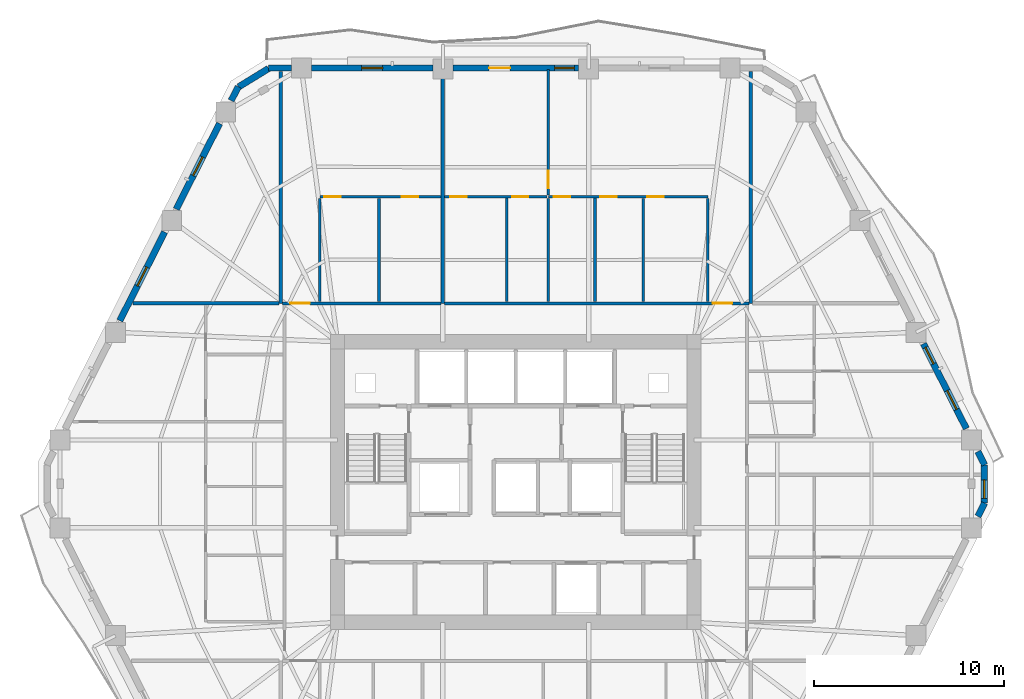
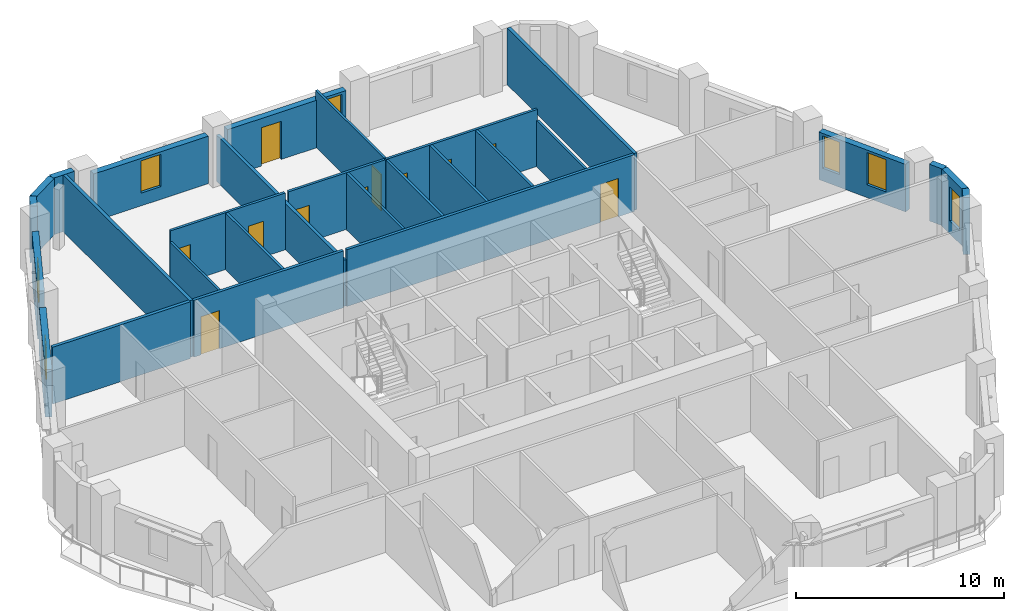
# One storey, part 7 of 12: 28 walls, 11 doors, 7 windows, 18 openings.
"""IFC4 building model written with IfcOpenShell, lengths in metres."""

from ifc_helpers import new_model, si_unit, direction, frame, frame_2d, origin, place, context, subcontext, project, spatial, rectangle, extrude, material, layer, layer_set, type_object, element, fill, save


model = new_model("IFC4")

# Units and contexts
model_context = context("Model", 3, precision=1e-05, world=origin(), true_north=direction((0.0, 1.0)))
body_context = subcontext(model_context, "Body", "Model", "MODEL_VIEW")
ifc_project = project(units=[si_unit("LENGTHUNIT", "METRE"), si_unit("AREAUNIT", "SQUARE_METRE"), si_unit("VOLUMEUNIT", "CUBIC_METRE"), si_unit("PLANEANGLEUNIT", "RADIAN"), si_unit("MASSUNIT", "GRAM", prefix="KILO")], contexts=[model_context])

# Site, building, storey
site_placement = place(None, origin())
site = spatial("IfcSite", under=ifc_project, at=site_placement, CompositionType="ELEMENT")
building_placement = place(site_placement, origin())
building = spatial("IfcBuilding", under=site, at=building_placement, Name="Cinnabar Lancet Tower", CompositionType="ELEMENT")
storey_placement = place(building_placement, frame((0.0, 0.0, 109.050048828125)))
storey = spatial("IfcBuildingStorey", under=building, at=storey_placement, Name="L28", CompositionType="ELEMENT", Elevation=109.050048828125)

# Wall, opening, door
ifc_material_1 = material(Name="Acoustic twin-stud gypsum partition", Category="gypsum")
ifc_layer_1 = layer(ifc_material_1, 0.159912109375)
ifc_layer_set_1 = layer_set([ifc_layer_1], Name="Acoustic twin-stud gypsum partition")
wall_type_1 = type_object("IfcWallType", Name="ARC-WL-CORR-160", PredefinedType="PARTITIONING", material=ifc_layer_set_1)
wall_1_placement = place(storey_placement, frame((20.14501953125, 35.300048828125, 0.0), z_axis=(0.0, 0.0, 1.0), x_axis=(1.0, 0.0, 0.0)))
wall_1 = element("IfcWall", 1, at=wall_1_placement, inside=storey, type_object=wall_type_1, Name="L28 Unit N01 Corridor Wall", PredefinedType="PARTITIONING", context=body_context, shape_type="SweptSolid", body=[
    extrude(rectangle(XDim=8.327880859375, YDim=0.159912109375, at=frame_2d((4.1640625, 0.0))), origin(), (0.0, 0.0, 1.0), 3.33984375),
])
opening_1_placement = place(wall_1_placement, frame((0.405029296875, 0.0, 0.0)))
opening_1 = element("IfcOpeningElement", 2, at=opening_1_placement, cuts=wall_1, Name="Opening UD-01", PredefinedType="OPENING", context=body_context, shape_type="SweptSolid", body=[
    extrude(rectangle(XDim=1.02001953125, YDim=2.25, at=frame_2d((0.510009765625, 1.125))), frame((0.0, 0.08984375, 0.0), z_axis=(0.0, -1.0, 0.0), x_axis=(1.0, 0.0, 0.0)), (0.0, 0.0, 1.0), 0.179931640625),
])
ifc_material_2 = material(Name="Solid timber fire-rated apartment entrance door", Category="wood")
door_type_1 = type_object("IfcDoorType", Name="ARC-DR-UNIT", OperationType="NOTDEFINED", PredefinedType="DOOR", material=ifc_material_2)
door_1_placement = place(opening_1_placement, origin())
door_1 = element("IfcDoor", 3, at=door_1_placement, inside=storey, type_object=door_type_1, Name="DR-L28-N01-ENT", OperationType="SINGLE_SWING_RIGHT", OverallHeight=2.25, OverallWidth=1.02001953125, PredefinedType="DOOR", context=body_context, shape_type="SweptSolid", body=[
    extrude(rectangle(XDim=1.02001953125, YDim=2.25, at=frame_2d((0.510009765625, 1.125))), frame((0.0, 0.02490234375, 0.0), z_axis=(0.0, -1.0, 0.0), x_axis=(1.0, 0.0, 0.0)), (0.0, 0.0, 1.0), 0.050048828125),
])
fill(opening_1, door_1)

wall_2_placement = place(storey_placement, frame((28.6630859375, 35.300048828125, 0.0), z_axis=(0.0, 0.0, 1.0), x_axis=(1.0, 0.0, 0.0)))
wall_2 = element("IfcWall", 4, at=wall_2_placement, inside=storey, type_object=wall_type_1, Name="L28 Unit N02 Corridor Wall", PredefinedType="PARTITIONING", context=body_context, shape_type="SweptSolid", body=[
    extrude(rectangle(XDim=15.991943359375, YDim=0.159912109375, at=frame_2d((7.99609375, 0.0))), origin(), (0.0, 0.0, 1.0), 3.33984375),
])
opening_2_placement = place(wall_2_placement, frame((14.0869140625, 0.0, 0.0)))
opening_2 = element("IfcOpeningElement", 5, at=opening_2_placement, cuts=wall_2, Name="Opening UD-01", PredefinedType="OPENING", context=body_context, shape_type="SweptSolid", body=[
    extrude(rectangle(XDim=1.02001953125, YDim=2.25, at=frame_2d((0.510009765625, 1.125))), frame((0.0, 0.08984375, 0.0), z_axis=(0.0, -1.0, 0.0), x_axis=(1.0, 0.0, 0.0)), (0.0, 0.0, 1.0), 0.179931640625),
])
door_2_placement = place(opening_2_placement, origin())
door_2 = element("IfcDoor", 6, at=door_2_placement, inside=storey, type_object=door_type_1, Name="DR-L28-N02-ENT", OperationType="SINGLE_SWING_LEFT", OverallHeight=2.25, OverallWidth=1.02001953125, PredefinedType="DOOR", context=body_context, shape_type="SweptSolid", body=[
    extrude(rectangle(XDim=1.02001953125, YDim=2.25, at=frame_2d((0.510009765625, 1.125))), frame((0.0, 0.02490234375, 0.0), z_axis=(0.0, -1.0, 0.0), x_axis=(1.0, 0.0, 0.0)), (0.0, 0.0, 1.0), 0.050048828125),
])
fill(opening_2, door_2)

# Walls
ifc_material_3 = material(Name="Fire-rated twin-frame acoustic drywall", Category="gypsum")
ifc_layer_2 = layer(ifc_material_3, 0.179931640625)
ifc_layer_set_2 = layer_set([ifc_layer_2], Name="Fire-rated twin-frame acoustic drywall")
wall_type_2 = type_object("IfcWallType", Name="ARC-WL-PARTY-180", PredefinedType="PARTITIONING", material=ifc_layer_set_2)
wall_3_placement = place(storey_placement, frame((20.050048828125, 35.300048828125, 0.0), z_axis=(0.0, 0.0, 1.0), x_axis=(0.0, 1.0, 0.0)))
element("IfcWall", 7, at=wall_3_placement, inside=storey, type_object=wall_type_2, Name="PW-L28-NPTY-200", PredefinedType="PARTITIONING", context=body_context, shape_type="SweptSolid", body=[
    extrude(rectangle(XDim=12.195068359375, YDim=0.179931640625, at=frame_2d((6.09765625, 0.0))), origin(), (0.0, 0.0, 1.0), 3.33984375),
])
wall_4_placement = place(storey_placement, frame((28.568115234375, 35.300048828125, 0.0), z_axis=(0.0, 0.0, 1.0), x_axis=(0.0, 1.0, 0.0)))
element("IfcWall", 8, at=wall_4_placement, inside=storey, type_object=wall_type_2, Name="PW-L28-NPTY-286", PredefinedType="PARTITIONING", context=body_context, shape_type="SweptSolid", body=[
    extrude(rectangle(XDim=12.195068359375, YDim=0.179931640625, at=frame_2d((6.09765625, 0.0))), origin(), (0.0, 0.0, 1.0), 2.721923828125),
])
wall_5_placement = place(storey_placement, frame((44.75, 35.300048828125, 0.0), z_axis=(0.0, 0.0, 1.0), x_axis=(0.0, 1.0, 0.0)))
element("IfcWall", 9, at=wall_5_placement, inside=storey, type_object=wall_type_2, Name="PW-L28-NPTY-448", PredefinedType="PARTITIONING", context=body_context, shape_type="SweptSolid", body=[
    extrude(rectangle(XDim=12.195068359375, YDim=0.179931640625, at=frame_2d((6.09765625, 0.0))), origin(), (0.0, 0.0, 1.0), 3.33984375),
])
wall_6_placement = place(storey_placement, frame((12.285888671875, 35.300048828125, 0.0), z_axis=(0.0, 0.0, 1.0), x_axis=(1.0, 0.0, 0.0)))
element("IfcWall", 10, at=wall_6_placement, inside=storey, type_object=wall_type_2, Name="PW-L28-WNB", PredefinedType="PARTITIONING", context=body_context, shape_type="SweptSolid", body=[
    extrude(rectangle(XDim=7.669189453125, YDim=0.179931640625, at=frame_2d((3.83447265625, 0.0))), origin(), (0.0, 0.0, 1.0), 3.33984375),
])
ifc_material_4 = material(Name="Gypsum plasterboard stud partition", Category="gypsum")
ifc_layer_3 = layer(ifc_material_4, 0.125)
ifc_layer_set_3 = layer_set([ifc_layer_3], Name="Gypsum plasterboard stud partition")
wall_type_3 = type_object("IfcWallType", Name="ARC-WL-UNIT-125", PredefinedType="PARTITIONING", material=ifc_layer_set_3)
for number, where, z_axis, x_axis, name in (
    (11, (22.10009765625, 35.385009765625, 0.0), (0.0, 0.0, 1.0), (0.0, 1.0, 0.0), "UW-L28-N01-FOYE"),
    (12, (42.5, 35.385009765625, 0.0), (0.0, 0.0, 1.0), (0.0, 1.0, 0.0), "UW-L28-N02-FOYW"),
):
    element("IfcWall", number, at=place(storey_placement, frame(where, z_axis=z_axis, x_axis=x_axis)), inside=storey, type_object=wall_type_3, Name=name, PredefinedType="PARTITIONING", context=body_context, shape_type="SweptSolid", body=[
        extrude(rectangle(XDim=5.419921875, YDim=0.125, at=frame_2d((2.7099609375, 0.0))), origin(), (0.0, 0.0, 1.0), 2.721923828125),
    ])

# Wall, opening, door
wall_7_placement = place(storey_placement, frame((34.111083984375, 40.985107421875, 0.0), z_axis=(0.0, 0.0, 1.0), x_axis=(0.0, 1.0, 0.0)))
wall_7 = element("IfcWall", 13, at=wall_7_placement, inside=storey, type_object=wall_type_3, Name="UW-L28-N02-MBW", PredefinedType="PARTITIONING", context=body_context, shape_type="SweptSolid", body=[
    extrude(rectangle(XDim=6.599853515625, YDim=0.125, at=frame_2d((3.2998046875, 0.0))), origin(), (0.0, 0.0, 1.0), 3.33984375),
])
opening_3_placement = place(wall_7_placement, frame((0.35009765625, 0.0, 0.0)))
opening_3 = element("IfcOpeningElement", 14, at=opening_3_placement, cuts=wall_7, Name="Opening RD-01", PredefinedType="OPENING", context=body_context, shape_type="SweptSolid", body=[
    extrude(rectangle(XDim=0.919921875, YDim=2.14990234375, at=frame_2d((0.4599609375, 1.074951171875))), frame((0.0, 0.072509765625, 0.0), z_axis=(0.0, -1.0, 0.0), x_axis=(1.0, 0.0, 0.0)), (0.0, 0.0, 1.0), 0.14501953125),
])
ifc_material_5 = material(Name="Engineered timber bedroom door", Category="wood")
door_type_2 = type_object("IfcDoorType", Name="ARC-DR-ROOM", OperationType="NOTDEFINED", PredefinedType="DOOR", material=ifc_material_5)
door_3_placement = place(opening_3_placement, origin())
door_3 = element("IfcDoor", 15, at=door_3_placement, inside=storey, type_object=door_type_2, Name="DR-L28-N02-MBD", OperationType="SINGLE_SWING_RIGHT", OverallHeight=2.14990234375, OverallWidth=0.919921875, PredefinedType="DOOR", context=body_context, shape_type="SweptSolid", body=[
    extrude(rectangle(XDim=0.919921875, YDim=2.14990234375, at=frame_2d((0.4599609375, 1.074951171875))), frame((0.0, 0.02490234375, 0.0), z_axis=(0.0, -1.0, 0.0), x_axis=(1.0, 0.0, 0.0)), (0.0, 0.0, 1.0), 0.050048828125),
])
fill(opening_3, door_3)

# Wall, openings, doors
ifc_material_6 = material(Name="Moisture-resistant cement-board plumbing wall", Category="masonry")
ifc_layer_4 = layer(ifc_material_6, 0.139892578125)
ifc_layer_set_4 = layer_set([ifc_layer_4], Name="Moisture-resistant cement-board plumbing wall")
wall_type_4 = type_object("IfcWallType", Name="ARC-WL-WET-140", PredefinedType="PLUMBINGWALL", material=ifc_layer_set_4)
wall_8_placement = place(storey_placement, frame((22.10009765625, 40.909912109375, 0.0), z_axis=(0.0, 0.0, 1.0), x_axis=(1.0, 0.0, 0.0)))
wall_8 = element("IfcWall", 16, at=wall_8_placement, inside=storey, type_object=wall_type_4, Name="UW-L28-N01-SPL", PredefinedType="PLUMBINGWALL", context=body_context, shape_type="SweptSolid", body=[
    extrude(rectangle(XDim=6.372802734375, YDim=0.139892578125, at=frame_2d((3.1865234375, 0.0))), origin(), (0.0, 0.0, 1.0), 3.33984375),
])
opening_4_placement = place(wall_8_placement, frame((4.31396484375, 0.0, 0.0)))
opening_4 = element("IfcOpeningElement", 17, at=opening_4_placement, cuts=wall_8, Name="Opening BD-01", PredefinedType="OPENING", context=body_context, shape_type="SweptSolid", body=[
    extrude(rectangle(XDim=0.860107421875, YDim=2.10009765625, at=frame_2d((0.43017578125, 1.050048828125))), frame((0.0, 0.079833984375, 0.0), z_axis=(0.0, -1.0, 0.0), x_axis=(1.0, 0.0, 0.0)), (0.0, 0.0, 1.0), 0.159912109375),
])
opening_5_placement = place(wall_8_placement, frame((0.219970703125, 0.0, 0.0)))
opening_5 = element("IfcOpeningElement", 18, at=opening_5_placement, cuts=wall_8, Name="Opening RD-02", PredefinedType="OPENING", context=body_context, shape_type="SweptSolid", body=[
    extrude(rectangle(XDim=0.8798828125, YDim=2.14990234375, at=frame_2d((0.43994140625, 1.074951171875))), frame((0.0, 0.079833984375, 0.0), z_axis=(0.0, -1.0, 0.0), x_axis=(1.0, 0.0, 0.0)), (0.0, 0.0, 1.0), 0.159912109375),
])
ifc_material_7 = material(Name="Moisture-resistant timber bathroom door", Category="wood")
door_type_3 = type_object("IfcDoorType", Name="ARC-DR-BATH", OperationType="NOTDEFINED", PredefinedType="DOOR", material=ifc_material_7)
door_4_placement = place(opening_4_placement, origin())
door_4 = element("IfcDoor", 19, at=door_4_placement, inside=storey, type_object=door_type_3, Name="DR-L28-N01-BTH", OperationType="SINGLE_SWING_RIGHT", OverallHeight=2.10009765625, OverallWidth=0.860107421875, PredefinedType="DOOR", context=body_context, shape_type="SweptSolid", body=[
    extrude(rectangle(XDim=0.860107421875, YDim=2.10009765625, at=frame_2d((0.43017578125, 1.050048828125))), frame((0.0, 0.02490234375, 0.0), z_axis=(0.0, -1.0, 0.0), x_axis=(1.0, 0.0, 0.0)), (0.0, 0.0, 1.0), 0.050048828125),
])
fill(opening_4, door_4)
ifc_material_8 = material(Name="Engineered timber study door", Category="wood")
door_type_4 = type_object("IfcDoorType", Name="ARC-DR-STUDY", OperationType="NOTDEFINED", PredefinedType="DOOR", material=ifc_material_8)
door_5_placement = place(opening_5_placement, origin())
door_5 = element("IfcDoor", 20, at=door_5_placement, inside=storey, type_object=door_type_4, Name="DR-L28-N01-KIT", OperationType="SINGLE_SWING_LEFT", OverallHeight=2.14990234375, OverallWidth=0.8798828125, PredefinedType="DOOR", context=body_context, shape_type="SweptSolid", body=[
    extrude(rectangle(XDim=0.8798828125, YDim=2.14990234375, at=frame_2d((0.43994140625, 1.074951171875))), frame((0.0, 0.02490234375, 0.0), z_axis=(0.0, -1.0, 0.0), x_axis=(1.0, 0.0, 0.0)), (0.0, 0.0, 1.0), 0.050048828125),
])
fill(opening_5, door_5)

# Wall
wall_9_placement = place(storey_placement, frame((25.205078125, 35.385009765625, 0.0), z_axis=(0.0, 0.0, 1.0), x_axis=(0.0, 1.0, 0.0)))
element("IfcWall", 21, at=wall_9_placement, inside=storey, type_object=wall_type_4, Name="UW-L28-N01-KDV", PredefinedType="PLUMBINGWALL", context=body_context, shape_type="SweptSolid", body=[
    extrude(rectangle(XDim=5.419921875, YDim=0.139892578125, at=frame_2d((2.7099609375, 0.0))), origin(), (0.0, 0.0, 1.0), 3.33984375),
])

# Wall, openings, doors
wall_10_placement = place(storey_placement, frame((34.111083984375, 40.909912109375, 0.0), z_axis=(0.0, 0.0, 1.0), x_axis=(1.0, 0.0, 0.0)))
wall_10 = element("IfcWall", 22, at=wall_10_placement, inside=storey, type_object=wall_type_4, Name="UW-L28-N02-SPL", PredefinedType="PLUMBINGWALL", context=body_context, shape_type="SweptSolid", body=[
    extrude(rectangle(XDim=8.388916015625, YDim=0.139892578125, at=frame_2d((4.1943359375, 0.0))), origin(), (0.0, 0.0, 1.0), 3.33984375),
])
opening_6_placement = place(wall_10_placement, frame((0.280029296875, 0.0, 0.0)))
opening_6 = element("IfcOpeningElement", 23, at=opening_6_placement, cuts=wall_10, Name="Opening RD-02", PredefinedType="OPENING", context=body_context, shape_type="SweptSolid", body=[
    extrude(rectangle(XDim=0.8798828125, YDim=2.14990234375, at=frame_2d((0.43994140625, 1.074951171875))), frame((0.0, 0.079833984375, 0.0), z_axis=(0.0, -1.0, 0.0), x_axis=(1.0, 0.0, 0.0)), (0.0, 0.0, 1.0), 0.159912109375),
])
opening_7_placement = place(wall_10_placement, frame((2.737060546875, 0.0, 0.0)))
opening_7 = element("IfcOpeningElement", 24, at=opening_7_placement, cuts=wall_10, Name="Opening BD-01", PredefinedType="OPENING", context=body_context, shape_type="SweptSolid", body=[
    extrude(rectangle(XDim=0.860107421875, YDim=2.10009765625, at=frame_2d((0.43017578125, 1.050048828125))), frame((0.0, 0.079833984375, 0.0), z_axis=(0.0, -1.0, 0.0), x_axis=(1.0, 0.0, 0.0)), (0.0, 0.0, 1.0), 0.159912109375),
])
opening_8_placement = place(wall_10_placement, frame((5.18896484375, 0.0, 0.0)))
opening_8 = element("IfcOpeningElement", 25, at=opening_8_placement, cuts=wall_10, Name="Opening RD-02", PredefinedType="OPENING", context=body_context, shape_type="SweptSolid", body=[
    extrude(rectangle(XDim=0.8798828125, YDim=2.14990234375, at=frame_2d((0.43994140625, 1.074951171875))), frame((0.0, 0.079833984375, 0.0), z_axis=(0.0, -1.0, 0.0), x_axis=(1.0, 0.0, 0.0)), (0.0, 0.0, 1.0), 0.159912109375),
])
door_6_placement = place(opening_7_placement, origin())
door_6 = element("IfcDoor", 26, at=door_6_placement, inside=storey, type_object=door_type_3, Name="DR-L28-N02-BTH", OperationType="SINGLE_SWING_LEFT", OverallHeight=2.10009765625, OverallWidth=0.860107421875, PredefinedType="DOOR", context=body_context, shape_type="SweptSolid", body=[
    extrude(rectangle(XDim=0.860107421875, YDim=2.10009765625, at=frame_2d((0.43017578125, 1.050048828125))), frame((0.0, 0.02490234375, 0.0), z_axis=(0.0, -1.0, 0.0), x_axis=(1.0, 0.0, 0.0)), (0.0, 0.0, 1.0), 0.050048828125),
])
fill(opening_7, door_6)
door_7_placement = place(opening_6_placement, origin())
door_7 = element("IfcDoor", 27, at=door_7_placement, inside=storey, type_object=door_type_4, Name="DR-L28-N02-BTH-WDR", OperationType="SINGLE_SWING_RIGHT", OverallHeight=2.14990234375, OverallWidth=0.8798828125, PredefinedType="DOOR", context=body_context, shape_type="SweptSolid", body=[
    extrude(rectangle(XDim=0.8798828125, YDim=2.14990234375, at=frame_2d((0.43994140625, 1.074951171875))), frame((0.0, 0.02490234375, 0.0), z_axis=(0.0, -1.0, 0.0), x_axis=(1.0, 0.0, 0.0)), (0.0, 0.0, 1.0), 0.050048828125),
])
fill(opening_6, door_7)
door_8_placement = place(opening_8_placement, origin())
door_8 = element("IfcDoor", 28, at=door_8_placement, inside=storey, type_object=door_type_4, Name="DR-L28-N02-KIT", OperationType="SINGLE_SWING_LEFT", OverallHeight=2.14990234375, OverallWidth=0.8798828125, PredefinedType="DOOR", context=body_context, shape_type="SweptSolid", body=[
    extrude(rectangle(XDim=0.8798828125, YDim=2.14990234375, at=frame_2d((0.43994140625, 1.074951171875))), frame((0.0, 0.02490234375, 0.0), z_axis=(0.0, -1.0, 0.0), x_axis=(1.0, 0.0, 0.0)), (0.0, 0.0, 1.0), 0.050048828125),
])
fill(opening_8, door_8)

wall_11_placement = place(storey_placement, frame((28.6630859375, 40.909912109375, 0.0), z_axis=(0.0, 0.0, 1.0), x_axis=(1.0, 0.0, 0.0)))
wall_11 = element("IfcWall", 29, at=wall_11_placement, inside=storey, type_object=wall_type_4, Name="UW-L28-N02-SPM", PredefinedType="PLUMBINGWALL", context=body_context, shape_type="SweptSolid", body=[
    extrude(rectangle(XDim=5.372802734375, YDim=0.139892578125, at=frame_2d((2.6865234375, 0.0))), origin(), (0.0, 0.0, 1.0), 3.33984375),
])
opening_9_placement = place(wall_11_placement, frame((0.280029296875, 0.0, 0.0)))
opening_9 = element("IfcOpeningElement", 30, at=opening_9_placement, cuts=wall_11, Name="Opening RD-02", PredefinedType="OPENING", context=body_context, shape_type="SweptSolid", body=[
    extrude(rectangle(XDim=0.8798828125, YDim=2.14990234375, at=frame_2d((0.43994140625, 1.074951171875))), frame((0.0, 0.079833984375, 0.0), z_axis=(0.0, -1.0, 0.0), x_axis=(1.0, 0.0, 0.0)), (0.0, 0.0, 1.0), 0.159912109375),
])
opening_10_placement = place(wall_11_placement, frame((3.54296875, 0.0, 0.0)))
opening_10 = element("IfcOpeningElement", 31, at=opening_10_placement, cuts=wall_11, Name="Opening BD-01", PredefinedType="OPENING", context=body_context, shape_type="SweptSolid", body=[
    extrude(rectangle(XDim=0.860107421875, YDim=2.10009765625, at=frame_2d((0.43017578125, 1.050048828125))), frame((0.0, 0.079833984375, 0.0), z_axis=(0.0, -1.0, 0.0), x_axis=(1.0, 0.0, 0.0)), (0.0, 0.0, 1.0), 0.159912109375),
])
door_9_placement = place(opening_10_placement, origin())
door_9 = element("IfcDoor", 32, at=door_9_placement, inside=storey, type_object=door_type_3, Name="DR-L28-N02-ENS", OperationType="SINGLE_SWING_RIGHT", OverallHeight=2.10009765625, OverallWidth=0.860107421875, PredefinedType="DOOR", context=body_context, shape_type="SweptSolid", body=[
    extrude(rectangle(XDim=0.860107421875, YDim=2.10009765625, at=frame_2d((0.43017578125, 1.050048828125))), frame((0.0, 0.02490234375, 0.0), z_axis=(0.0, -1.0, 0.0), x_axis=(1.0, 0.0, 0.0)), (0.0, 0.0, 1.0), 0.050048828125),
])
fill(opening_10, door_9)
door_10_placement = place(opening_9_placement, origin())
door_10 = element("IfcDoor", 33, at=door_10_placement, inside=storey, type_object=door_type_4, Name="DR-L28-N02-ENS-WDR", OperationType="SINGLE_SWING_LEFT", OverallHeight=2.14990234375, OverallWidth=0.8798828125, PredefinedType="DOOR", context=body_context, shape_type="SweptSolid", body=[
    extrude(rectangle(XDim=0.8798828125, YDim=2.14990234375, at=frame_2d((0.43994140625, 1.074951171875))), frame((0.0, 0.02490234375, 0.0), z_axis=(0.0, -1.0, 0.0), x_axis=(1.0, 0.0, 0.0)), (0.0, 0.0, 1.0), 0.050048828125),
])
fill(opening_9, door_10)

# Walls
for number, where, z_axis, x_axis, name in (
    (34, (39.10009765625, 35.385009765625, 0.0), (0.0, 0.0, 1.0), (0.0, 1.0, 0.0), "UW-L28-N02-KBD"),
    (35, (34.111083984375, 35.385009765625, 0.0), (0.0, 0.0, 1.0), (0.0, 1.0, 0.0), "UW-L28-N02-ENSW"),
):
    element("IfcWall", number, at=place(storey_placement, frame(where, z_axis=z_axis, x_axis=x_axis)), inside=storey, type_object=wall_type_4, Name=name, PredefinedType="PLUMBINGWALL", context=body_context, shape_type="SweptSolid", body=[
        extrude(rectangle(XDim=5.419921875, YDim=0.139892578125, at=frame_2d((2.7099609375, 0.0))), origin(), (0.0, 0.0, 1.0), 3.33984375),
    ])
for number, where, z_axis, x_axis, name in (
    (36, (36.568115234375, 35.385009765625, 0.0), (0.0, 0.0, 1.0), (0.0, 1.0, 0.0), "UW-L28-N02-BTH-WDV"),
    (37, (31.926025390625, 35.385009765625, 0.0), (0.0, 0.0, 1.0), (0.0, 1.0, 0.0), "UW-L28-N02-ENS-WDV"),
):
    element("IfcWall", number, at=place(storey_placement, frame(where, z_axis=z_axis, x_axis=x_axis)), inside=storey, type_object=wall_type_4, Name=name, PredefinedType="PLUMBINGWALL", context=body_context, shape_type="SweptSolid", body=[
        extrude(rectangle(XDim=5.43994140625, YDim=0.139892578125, at=frame_2d((2.719970703125, 0.0))), origin(), (0.0, 0.0, 1.0), 3.33984375),
    ])

# Wall, opening, window
ifc_material_9 = material(Name="Cinnabar red clay brick", Category="masonry")
ifc_layer_5 = layer(ifc_material_9, 0.340087890625)
ifc_layer_set_5 = layer_set([ifc_layer_5], Name="Cinnabar red clay brick")
wall_type_5 = type_object("IfcWallType", Name="ENV-WL-BRK-RED-340", PredefinedType="STANDARD", material=ifc_layer_set_5)
wall_12_placement = place(storey_placement, frame((57.032958984375, 24.802978515625, 0.0), z_axis=(0.0, 0.0, 1.0), x_axis=(0.0, 1.0, 0.0)))
wall_12 = element("IfcWall", 38, at=wall_12_placement, inside=storey, type_object=wall_type_5, Name="L28 Chamfered Corner Brick Pier 3.1", PredefinedType="STANDARD", context=body_context, shape_type="SweptSolid", body=[
    extrude(rectangle(XDim=1.994140625, YDim=0.340087890625, at=frame_2d((0.9970703125, 0.0))), origin(), (0.0, 0.0, 1.0), 3.33984375),
])
opening_11_placement = place(wall_12_placement, frame((0.239990234375, 0.0, 0.75)))
opening_11 = element("IfcOpeningElement", 39, at=opening_11_placement, cuts=wall_12, Name="Opening WN-04", PredefinedType="OPENING", context=body_context, shape_type="SweptSolid", body=[
    extrude(rectangle(XDim=0.972900390625, YDim=2.0, at=frame_2d((0.486328125, 1.0))), frame((0.0, 0.179931640625, 0.0), z_axis=(0.0, -1.0, 0.0), x_axis=(1.0, 0.0, 0.0)), (0.0, 0.0, 1.0), 0.360107421875),
])
ifc_material_10 = material(Name="Thermally broken bronze-anodized aluminium tall lancet window", Category="aluminium")
window_type = type_object("IfcWindowType", Name="ENV-WN-LANCET-1100", PartitioningType="SINGLE_PANEL", PredefinedType="WINDOW", material=ifc_material_10)
window_1_placement = place(opening_11_placement, origin())
window_1 = element("IfcWindow", 40, at=window_1_placement, inside=storey, type_object=window_type, Name="L28 Dwelling Gothic Lancet Window 318", OverallHeight=2.0, OverallWidth=0.972900390625, PartitioningType="SINGLE_PANEL", PredefinedType="WINDOW", context=body_context, shape_type="SweptSolid", body=[
    extrude(rectangle(XDim=0.972900390625, YDim=2.0, at=frame_2d((0.486328125, 1.0))), frame((0.0, 0.030029296875, 0.0), z_axis=(0.0, -1.0, 0.0), x_axis=(1.0, 0.0, 0.0)), (0.0, 0.0, 1.0), 0.06005859375),
])
fill(opening_11, window_1)

# Walls
wall_13_placement = place(storey_placement, frame((19.403076171875, 47.64501953125, 0.0), z_axis=(0.0, 0.0, 1.0), x_axis=(-0.851798915137, -0.523868884523, 0.0)))
element("IfcWall", 41, at=wall_13_placement, inside=storey, type_object=wall_type_5, Name="L28 Chamfered Corner Brick Pier 5.1", PredefinedType="STANDARD", context=body_context, shape_type="SweptSolid", body=[
    extrude(rectangle(XDim=1.847900390625, YDim=0.340087890625, at=frame_2d((0.923828125, 0.0))), origin(), (0.0, 0.0, 1.0), 3.33984375),
])
for number, where, z_axis, x_axis, name in (
    (42, (56.699951171875, 24.096923828125, 0.0), (0.0, 0.0, 1.0), (0.451819324107, 0.89210946546, 0.0), "L28 Face 2 Masonry Bay Wall 5"),
    (43, (57.053955078125, 26.803955078125, 0.0), (0.0, 0.0, 1.0), (-0.451819324107, 0.89210946546, 0.0), "L28 Face 3 Masonry Bay Wall 1"),
):
    element("IfcWall", number, at=place(storey_placement, frame(where, z_axis=z_axis, x_axis=x_axis)), inside=storey, type_object=wall_type_5, Name=name, PredefinedType="STANDARD", context=body_context, shape_type="SweptSolid", body=[
        extrude(rectangle(XDim=0.783447265625, YDim=0.340087890625, at=frame_2d((0.3916015625, 0.0))), origin(), (0.0, 0.0, 1.0), 3.33984375),
    ])

# Wall, openings, windows
wall_14_placement = place(storey_placement, frame((56.0869140625, 28.715087890625, 0.0), z_axis=(0.0, 0.0, 1.0), x_axis=(-0.451431617681, 0.892305718102, 0.0)))
wall_14 = element("IfcWall", 44, at=wall_14_placement, inside=storey, type_object=wall_type_5, Name="L28 Face 3 Masonry Bay Wall 2", PredefinedType="STANDARD", context=body_context, shape_type="SweptSolid", body=[
    extrude(rectangle(XDim=4.994873046875, YDim=0.340087890625, at=frame_2d((2.49755859375, 0.0))), origin(), (0.0, 0.0, 1.0), 2.796875),
])
opening_12_placement = place(wall_14_placement, frame((1.1279296875, 0.0, 0.75)))
opening_12 = element("IfcOpeningElement", 45, at=opening_12_placement, cuts=wall_14, Name="Opening WN-04", PredefinedType="OPENING", context=body_context, shape_type="SweptSolid", body=[
    extrude(rectangle(XDim=1.10009765625, YDim=1.89697265625, at=frame_2d((0.550048828125, 0.948486328125))), frame((0.0, 0.179931640625, 0.0), z_axis=(0.0, -1.0, 0.0), x_axis=(1.0, 0.0, 0.0)), (0.0, 0.0, 1.0), 0.360107421875),
])
opening_13_placement = place(wall_14_placement, frame((3.81689453125, 0.0, 0.75)))
opening_13 = element("IfcOpeningElement", 46, at=opening_13_placement, cuts=wall_14, Name="Opening WN-04", PredefinedType="OPENING", context=body_context, shape_type="SweptSolid", body=[
    extrude(rectangle(XDim=0.9580078125, YDim=1.89697265625, at=frame_2d((0.47900390625, 0.948486328125))), frame((0.0, 0.179931640625, 0.0), z_axis=(0.0, -1.0, 0.0), x_axis=(1.0, 0.0, 0.0)), (0.0, 0.0, 1.0), 0.360107421875),
])
window_2_placement = place(opening_12_placement, origin())
window_2 = element("IfcWindow", 47, at=window_2_placement, inside=storey, type_object=window_type, Name="L28 Face 3 Gothic Lancet Window 2", OverallHeight=1.89697265625, OverallWidth=1.10009765625, PartitioningType="SINGLE_PANEL", PredefinedType="WINDOW", context=body_context, shape_type="SweptSolid", body=[
    extrude(rectangle(XDim=1.10009765625, YDim=1.89697265625, at=frame_2d((0.550048828125, 0.948486328125))), frame((0.0, 0.030029296875, 0.0), z_axis=(0.0, -1.0, 0.0), x_axis=(1.0, 0.0, 0.0)), (0.0, 0.0, 1.0), 0.06005859375),
])
fill(opening_12, window_2)
window_3_placement = place(opening_13_placement, origin())
window_3 = element("IfcWindow", 48, at=window_3_placement, inside=storey, type_object=window_type, Name="L28 Split-Bay Gothic Lancet Window 92", OverallHeight=1.89697265625, OverallWidth=0.9580078125, PartitioningType="SINGLE_PANEL", PredefinedType="WINDOW", context=body_context, shape_type="SweptSolid", body=[
    extrude(rectangle(XDim=0.9580078125, YDim=1.89697265625, at=frame_2d((0.47900390625, 0.948486328125))), frame((0.0, 0.030029296875, 0.0), z_axis=(0.0, -1.0, 0.0), x_axis=(1.0, 0.0, 0.0)), (0.0, 0.0, 1.0), 0.06005859375),
])
fill(opening_13, window_3)

# Wall, openings, door, window
wall_15_placement = place(storey_placement, frame((35.702880859375, 47.669921875, 0.0), z_axis=(0.0, 0.0, 1.0), x_axis=(-1.0, 0.0, 0.0)))
wall_15 = element("IfcWall", 49, at=wall_15_placement, inside=storey, type_object=wall_type_5, Name="L28 Face 4 Masonry Bay Wall 3", PredefinedType="STANDARD", context=body_context, shape_type="SweptSolid", body=[
    extrude(rectangle(XDim=6.60595703125, YDim=0.340087890625, at=frame_2d((3.302978515625, 0.0))), origin(), (0.0, 0.0, 1.0), 2.796875),
])
opening_14_placement = place(wall_15_placement, frame((3.60009765625, 0.0, 0.0)))
opening_14 = element("IfcOpeningElement", 50, at=opening_14_placement, cuts=wall_15, Name="Opening TD-01", PredefinedType="OPENING", context=body_context, shape_type="SweptSolid", body=[
    extrude(rectangle(XDim=1.10009765625, YDim=2.25, at=frame_2d((0.550048828125, 1.125))), frame((0.0, 0.179931640625, 0.0), z_axis=(0.0, -1.0, 0.0), x_axis=(1.0, 0.0, 0.0)), (0.0, 0.0, 1.0), 0.360107421875),
])
opening_15_placement = place(wall_15_placement, frame((0.219970703125, 0.0, 0.75)))
opening_15 = element("IfcOpeningElement", 51, at=opening_15_placement, cuts=wall_15, Name="Opening WN-04", PredefinedType="OPENING", context=body_context, shape_type="SweptSolid", body=[
    extrude(rectangle(XDim=1.0400390625, YDim=1.89697265625, at=frame_2d((0.52001953125, 0.948486328125))), frame((0.0, 0.179931640625, 0.0), z_axis=(0.0, -1.0, 0.0), x_axis=(1.0, 0.0, 0.0)), (0.0, 0.0, 1.0), 0.360107421875),
])
ifc_material_11 = material(Name="Thermally broken low-E glazed balcony terrace door", Category="wood")
door_type_5 = type_object("IfcDoorType", Name="ARC-DR-BALC", OperationType="NOTDEFINED", PredefinedType="DOOR", material=ifc_material_11)
door_11_placement = place(opening_14_placement, origin())
door_11 = element("IfcDoor", 52, at=door_11_placement, inside=storey, type_object=door_type_5, Name="L28 Face 4 Glazed Terrace Door", OperationType="SINGLE_SWING_RIGHT", OverallHeight=2.25, OverallWidth=1.10009765625, PredefinedType="DOOR", context=body_context, shape_type="SweptSolid", body=[
    extrude(rectangle(XDim=1.10009765625, YDim=2.25, at=frame_2d((0.550048828125, 1.125))), frame((0.0, 0.02490234375, 0.0), z_axis=(0.0, -1.0, 0.0), x_axis=(1.0, 0.0, 0.0)), (0.0, 0.0, 1.0), 0.050048828125),
])
fill(opening_14, door_11)
window_4_placement = place(opening_15_placement, origin())
window_4 = element("IfcWindow", 53, at=window_4_placement, inside=storey, type_object=window_type, Name="L28 Split-Bay Gothic Lancet Window 93", OverallHeight=1.89697265625, OverallWidth=1.0400390625, PartitioningType="SINGLE_PANEL", PredefinedType="WINDOW", context=body_context, shape_type="SweptSolid", body=[
    extrude(rectangle(XDim=1.0400390625, YDim=1.89697265625, at=frame_2d((0.52001953125, 0.948486328125))), frame((0.0, 0.030029296875, 0.0), z_axis=(0.0, -1.0, 0.0), x_axis=(1.0, 0.0, 0.0)), (0.0, 0.0, 1.0), 0.06005859375),
])
fill(opening_15, window_4)

# Wall, opening, window
wall_16_placement = place(storey_placement, frame((28.0390625, 47.669921875, 0.0), z_axis=(0.0, 0.0, 1.0), x_axis=(-1.0, 0.0, 0.0)))
wall_16 = element("IfcWall", 54, at=wall_16_placement, inside=storey, type_object=wall_type_5, Name="L28 Face 4 Masonry Bay Wall 4", PredefinedType="STANDARD", context=body_context, shape_type="SweptSolid", body=[
    extrude(rectangle(XDim=6.379150390625, YDim=0.340087890625, at=frame_2d((3.189453125, 0.0))), origin(), (0.0, 0.0, 1.0), 2.796875),
])
opening_16_placement = place(wall_16_placement, frame((2.639892578125, 0.0, 0.75)))
opening_16 = element("IfcOpeningElement", 55, at=opening_16_placement, cuts=wall_16, Name="Opening WN-04", PredefinedType="OPENING", context=body_context, shape_type="SweptSolid", body=[
    extrude(rectangle(XDim=1.10009765625, YDim=1.89697265625, at=frame_2d((0.550048828125, 0.948486328125))), frame((0.0, 0.179931640625, 0.0), z_axis=(0.0, -1.0, 0.0), x_axis=(1.0, 0.0, 0.0)), (0.0, 0.0, 1.0), 0.360107421875),
])
window_5_placement = place(opening_16_placement, origin())
window_5 = element("IfcWindow", 56, at=window_5_placement, inside=storey, type_object=window_type, Name="L28 Face 4 Gothic Lancet Window 4", OverallHeight=1.89697265625, OverallWidth=1.10009765625, PartitioningType="SINGLE_PANEL", PredefinedType="WINDOW", context=body_context, shape_type="SweptSolid", body=[
    extrude(rectangle(XDim=1.10009765625, YDim=1.89697265625, at=frame_2d((0.550048828125, 0.948486328125))), frame((0.0, 0.030029296875, 0.0), z_axis=(0.0, -1.0, 0.0), x_axis=(1.0, 0.0, 0.0)), (0.0, 0.0, 1.0), 0.06005859375),
])
fill(opening_16, window_5)

# Walls
wall_17_placement = place(storey_placement, frame((20.60205078125, 47.669921875, 0.0), z_axis=(0.0, 0.0, 1.0), x_axis=(-1.0, 0.0, 0.0)))
element("IfcWall", 57, at=wall_17_placement, inside=storey, type_object=wall_type_5, Name="L28 Face 4 Masonry Bay Wall 5", PredefinedType="STANDARD", context=body_context, shape_type="SweptSolid", body=[
    extrude(rectangle(XDim=1.2041015625, YDim=0.340087890625, at=frame_2d((0.60205078125, 0.0))), origin(), (0.0, 0.0, 1.0), 3.33984375),
])
wall_18_placement = place(storey_placement, frame((17.80908203125, 46.693115234375, 0.0), z_axis=(0.0, 0.0, 1.0), x_axis=(-0.45160540153, -0.89221777684, 0.0)))
element("IfcWall", 58, at=wall_18_placement, inside=storey, type_object=wall_type_5, Name="L28 Face 5 Masonry Bay Wall 1", PredefinedType="STANDARD", context=body_context, shape_type="SweptSolid", body=[
    extrude(rectangle(XDim=0.82177734375, YDim=0.340087890625, at=frame_2d((0.410888671875, 0.0))), origin(), (0.0, 0.0, 1.0), 3.33984375),
])

# Wall, opening, window
wall_19_placement = place(storey_placement, frame((16.824951171875, 44.748046875, 0.0), z_axis=(0.0, 0.0, 1.0), x_axis=(-0.451548465867, -0.892246593142, 0.0)))
wall_19 = element("IfcWall", 59, at=wall_19_placement, inside=storey, type_object=wall_type_5, Name="L28 Face 5 Masonry Bay Wall 2", PredefinedType="STANDARD", context=body_context, shape_type="SweptSolid", body=[
    extrude(rectangle(XDim=5.040283203125, YDim=0.340087890625, at=frame_2d((2.52001953125, 0.0))), origin(), (0.0, 0.0, 1.0), 2.796875),
])
opening_17_placement = place(wall_19_placement, frame((1.969970703125, 0.0, 0.75)))
opening_17 = element("IfcOpeningElement", 60, at=opening_17_placement, cuts=wall_19, Name="Opening WN-04", PredefinedType="OPENING", context=body_context, shape_type="SweptSolid", body=[
    extrude(rectangle(XDim=1.10009765625, YDim=1.89697265625, at=frame_2d((0.550048828125, 0.948486328125))), frame((0.0, 0.179931640625, 0.0), z_axis=(0.0, -1.0, 0.0), x_axis=(1.0, 0.0, 0.0)), (0.0, 0.0, 1.0), 0.360107421875),
])
window_6_placement = place(opening_17_placement, origin())
window_6 = element("IfcWindow", 61, at=window_6_placement, inside=storey, type_object=window_type, Name="L28 Face 5 Gothic Lancet Window 2", OverallHeight=1.89697265625, OverallWidth=1.10009765625, PartitioningType="SINGLE_PANEL", PredefinedType="WINDOW", context=body_context, shape_type="SweptSolid", body=[
    extrude(rectangle(XDim=1.10009765625, YDim=1.89697265625, at=frame_2d((0.550048828125, 0.948486328125))), frame((0.0, 0.030029296875, 0.0), z_axis=(0.0, -1.0, 0.0), x_axis=(1.0, 0.0, 0.0)), (0.0, 0.0, 1.0), 0.06005859375),
])
fill(opening_17, window_6)

wall_20_placement = place(storey_placement, frame((13.93701171875, 39.0390625, 0.0), z_axis=(0.0, 0.0, 1.0), x_axis=(-0.451567731634, -0.892236842855, 0.0)))
wall_20 = element("IfcWall", 62, at=wall_20_placement, inside=storey, type_object=wall_type_5, Name="L28 Face 5 Masonry Bay Wall 3", PredefinedType="STANDARD", context=body_context, shape_type="SweptSolid", body=[
    extrude(rectangle(XDim=5.219482421875, YDim=0.340087890625, at=frame_2d((2.60986328125, 0.0))), origin(), (0.0, 0.0, 1.0), 2.796875),
])
opening_18_placement = place(wall_20_placement, frame((2.06005859375, 0.0, 0.75)))
opening_18 = element("IfcOpeningElement", 63, at=opening_18_placement, cuts=wall_20, Name="Opening WN-04", PredefinedType="OPENING", context=body_context, shape_type="SweptSolid", body=[
    extrude(rectangle(XDim=1.10009765625, YDim=1.89697265625, at=frame_2d((0.550048828125, 0.948486328125))), frame((0.0, 0.179931640625, 0.0), z_axis=(0.0, -1.0, 0.0), x_axis=(1.0, 0.0, 0.0)), (0.0, 0.0, 1.0), 0.360107421875),
])
window_7_placement = place(opening_18_placement, origin())
window_7 = element("IfcWindow", 64, at=window_7_placement, inside=storey, type_object=window_type, Name="L28 Face 5 Gothic Lancet Window 3", OverallHeight=1.89697265625, OverallWidth=1.10009765625, PartitioningType="SINGLE_PANEL", PredefinedType="WINDOW", context=body_context, shape_type="SweptSolid", body=[
    extrude(rectangle(XDim=1.10009765625, YDim=1.89697265625, at=frame_2d((0.550048828125, 0.948486328125))), frame((0.0, 0.030029296875, 0.0), z_axis=(0.0, -1.0, 0.0), x_axis=(1.0, 0.0, 0.0)), (0.0, 0.0, 1.0), 0.06005859375),
])
fill(opening_18, window_7)

save(model, "model.ifc")
